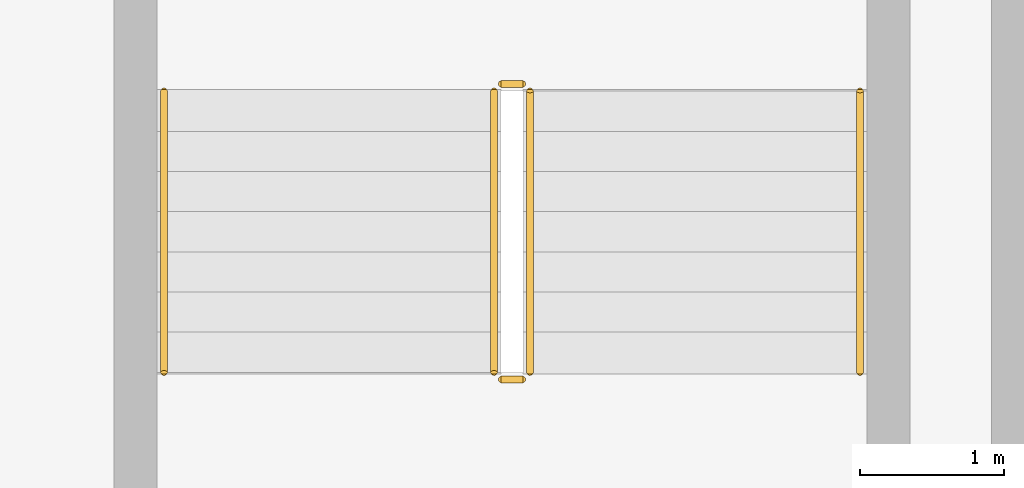
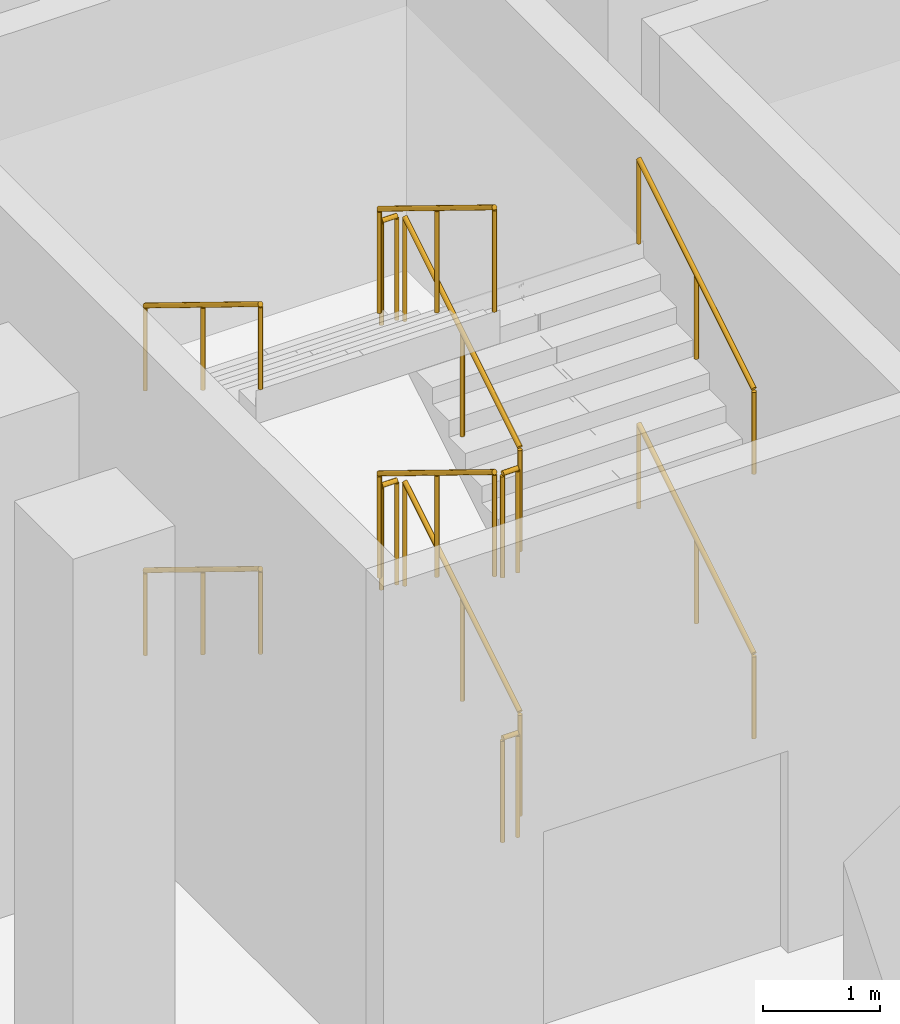
# One storey, part 25 of 25: 12 railings.
"""IFC4 building model written with IfcOpenShell, lengths in metres."""

from ifc_helpers import new_model, si_unit, direction, frame, origin, origin_2d, place, context, subcontext, project, spatial, circle, extrude, material, type_object, element, save


model = new_model("IFC4")

# Units and contexts
model_context = context("Model", 3, precision=1e-05, world=origin(), true_north=direction((0.0, 1.0)))
body_context = subcontext(model_context, "Body", "Model", "MODEL_VIEW")
ifc_project = project(units=[si_unit("LENGTHUNIT", "METRE"), si_unit("AREAUNIT", "SQUARE_METRE"), si_unit("VOLUMEUNIT", "CUBIC_METRE"), si_unit("PLANEANGLEUNIT", "RADIAN"), si_unit("MASSUNIT", "GRAM", prefix="KILO")], contexts=[model_context])

# Site, building, storey
site_placement = place(None, origin())
site = spatial("IfcSite", under=ifc_project, at=site_placement, CompositionType="ELEMENT")
building_placement = place(site_placement, origin())
building = spatial("IfcBuilding", under=site, at=building_placement, Name="Wharfspan Tower", CompositionType="ELEMENT")
storey_placement = place(building_placement, frame((0.0, 0.0, 27.5)))
storey = spatial("IfcBuildingStorey", under=building, at=storey_placement, Name="L04", CompositionType="ELEMENT", Elevation=27.5)

# Railings
ifc_material = material(Name="Steel S355J2", Category="steel")
railing_type_1 = type_object("IfcRailingType", Name="Podium guard 1100", PredefinedType="GUARDRAIL", material=ifc_material)
railing_1_placement = place(storey_placement, frame((68.699951, 32.899902, 0.171875)))
element("IfcRailing", 1, at=railing_1_placement, inside=storey, type_object=railing_type_1, Name="L04 PS4 stair guard 1", PredefinedType="GUARDRAIL", context=body_context, shape_type="SweptSolid", body=[
    extrude(circle(Radius=0.023926, at=origin_2d()), frame((0.0, 0.0, 1.076172), z_axis=(0.0, 0.85227, 0.523102), x_axis=(-1.0, 0.0, 0.0)), (0.0, 0.0, 1.0), 2.300049),
    extrude(circle(Radius=0.020996, at=origin_2d()), origin(), (0.0, 0.0, 1.0), 1.052002),
    extrude(circle(Radius=0.020996, at=origin_2d()), frame((0.0, 0.97998, 0.601562)), (0.0, 0.0, 1.0), 1.052002),
    extrude(circle(Radius=0.020996, at=origin_2d()), frame((0.0, 1.960205, 1.203125)), (0.0, 0.0, 1.0), 1.052002),
])
railing_2_placement = place(storey_placement, frame((68.649902, 34.909912, 1.375)))
element("IfcRailing", 2, at=railing_2_placement, inside=storey, type_object=railing_type_1, Name="L04 PS4 stair guard 2", PredefinedType="GUARDRAIL", context=body_context, shape_type="SweptSolid", body=[
    extrude(circle(Radius=0.023926, at=origin_2d()), frame((0.0, 0.0, 1.076172), z_axis=(-1.0, 0.0, 0.0), x_axis=(0.0, -1.0, 0.0)), (0.0, 0.0, 1.0), 0.149902),
    extrude(circle(Radius=0.020996, at=origin_2d()), origin(), (0.0, 0.0, 1.0), 1.052002),
    extrude(circle(Radius=0.020996, at=origin_2d()), frame((-0.149902, 0.0, 0.0)), (0.0, 0.0, 1.0), 1.052002),
])
railing_3_placement = place(storey_placement, frame((68.449951, 34.860107, 1.546875)))
element("IfcRailing", 3, at=railing_3_placement, inside=storey, type_object=railing_type_1, Name="L04 PS4 stair guard 3", PredefinedType="GUARDRAIL", context=body_context, shape_type="SweptSolid", body=[
    extrude(circle(Radius=0.023926, at=origin_2d()), frame((0.0, 0.0, 1.076172), z_axis=(0.0, -0.85227, 0.523102), x_axis=(1.0, 0.0, 0.0)), (0.0, 0.0, 1.0), 2.300049),
    extrude(circle(Radius=0.020996, at=origin_2d()), origin(), (0.0, 0.0, 1.0), 1.052002),
    extrude(circle(Radius=0.020996, at=origin_2d()), frame((0.0, -0.97998, 0.601562)), (0.0, 0.0, 1.0), 1.052002),
    extrude(circle(Radius=0.020996, at=origin_2d()), frame((0.0, -1.960205, 1.203125)), (0.0, 0.0, 1.0), 1.052002),
])
railing_4_placement = place(storey_placement, frame((68.649902, 32.850098, 2.75)))
element("IfcRailing", 4, at=railing_4_placement, inside=storey, type_object=railing_type_1, Name="L04 PS4 stair guard 4", PredefinedType="GUARDRAIL", context=body_context, shape_type="SweptSolid", body=[
    extrude(circle(Radius=0.023926, at=origin_2d()), frame((0.0, 0.0, 1.076172), z_axis=(-1.0, 0.0, 0.0), x_axis=(0.0, -1.0, 0.0)), (0.0, 0.0, 1.0), 0.149902),
    extrude(circle(Radius=0.020996, at=origin_2d()), origin(), (0.0, 0.0, 1.0), 1.052002),
    extrude(circle(Radius=0.020996, at=origin_2d()), frame((-0.149902, 0.0, 0.0)), (0.0, 0.0, 1.0), 1.052002),
])
railing_5_placement = place(storey_placement, frame((68.699951, 32.899902, 2.921875)))
element("IfcRailing", 5, at=railing_5_placement, inside=storey, type_object=railing_type_1, Name="L04 PS4 stair guard 5", PredefinedType="GUARDRAIL", context=body_context, shape_type="SweptSolid", body=[
    extrude(circle(Radius=0.023926, at=origin_2d()), frame((0.0, 0.0, 1.076172), z_axis=(0.0, 0.85227, 0.523102), x_axis=(-1.0, 0.0, 0.0)), (0.0, 0.0, 1.0), 2.300049),
    extrude(circle(Radius=0.020996, at=origin_2d()), origin(), (0.0, 0.0, 1.0), 1.052002),
    extrude(circle(Radius=0.020996, at=origin_2d()), frame((0.0, 0.97998, 0.601562)), (0.0, 0.0, 1.0), 1.052002),
    extrude(circle(Radius=0.020996, at=origin_2d()), frame((0.0, 1.960205, 1.203125)), (0.0, 0.0, 1.0), 1.052002),
])
railing_6_placement = place(storey_placement, frame((68.649902, 34.909912, 4.125)))
element("IfcRailing", 6, at=railing_6_placement, inside=storey, type_object=railing_type_1, Name="L04 PS4 stair guard 6", PredefinedType="GUARDRAIL", context=body_context, shape_type="SweptSolid", body=[
    extrude(circle(Radius=0.023926, at=origin_2d()), frame((0.0, 0.0, 1.076172), z_axis=(-1.0, 0.0, 0.0), x_axis=(0.0, -1.0, 0.0)), (0.0, 0.0, 1.0), 0.149902),
    extrude(circle(Radius=0.020996, at=origin_2d()), origin(), (0.0, 0.0, 1.0), 1.052002),
    extrude(circle(Radius=0.020996, at=origin_2d()), frame((-0.149902, 0.0, 0.0)), (0.0, 0.0, 1.0), 1.052002),
])
railing_7_placement = place(storey_placement, frame((68.449951, 34.860107, 4.296875)))
element("IfcRailing", 7, at=railing_7_placement, inside=storey, type_object=railing_type_1, Name="L04 PS4 stair guard 7", PredefinedType="GUARDRAIL", context=body_context, shape_type="SweptSolid", body=[
    extrude(circle(Radius=0.023926, at=origin_2d()), frame((0.0, 0.0, 1.076172), z_axis=(0.0, -0.85227, 0.523102), x_axis=(1.0, 0.0, 0.0)), (0.0, 0.0, 1.0), 2.300049),
    extrude(circle(Radius=0.020996, at=origin_2d()), origin(), (0.0, 0.0, 1.0), 1.052002),
    extrude(circle(Radius=0.020996, at=origin_2d()), frame((0.0, -0.97998, 0.601562)), (0.0, 0.0, 1.0), 1.052002),
    extrude(circle(Radius=0.020996, at=origin_2d()), frame((0.0, -1.960205, 1.203125)), (0.0, 0.0, 1.0), 1.052002),
])
railing_8_placement = place(storey_placement, frame((68.649902, 32.850098, 0.0)))
element("IfcRailing", 8, at=railing_8_placement, inside=storey, type_object=railing_type_1, Name="L04 PS4 stair guard 8", PredefinedType="GUARDRAIL", context=body_context, shape_type="SweptSolid", body=[
    extrude(circle(Radius=0.023926, at=origin_2d()), frame((0.0, 0.0, 1.076172), z_axis=(-1.0, 0.0, 0.0), x_axis=(0.0, -1.0, 0.0)), (0.0, 0.0, 1.0), 0.149902),
    extrude(circle(Radius=0.020996, at=origin_2d()), origin(), (0.0, 0.0, 1.0), 1.052002),
    extrude(circle(Radius=0.020996, at=origin_2d()), frame((-0.149902, 0.0, 0.0)), (0.0, 0.0, 1.0), 1.052002),
])
railing_type_2 = type_object("IfcRailingType", Name="Podium stair handrail 900", PredefinedType="HANDRAIL", material=ifc_material)
railing_9_placement = place(storey_placement, frame((71.0, 32.899902, 0.171875)))
element("IfcRailing", 9, at=railing_9_placement, inside=storey, type_object=railing_type_2, Name="L04 PS4 stair handrail 1", PredefinedType="HANDRAIL", context=body_context, shape_type="SweptSolid", body=[
    extrude(circle(Radius=0.023926, at=origin_2d()), frame((0.0, 0.0, 0.875977), z_axis=(0.0, 0.85227, 0.523102), x_axis=(-1.0, 0.0, 0.0)), (0.0, 0.0, 1.0), 2.300049),
    extrude(circle(Radius=0.020996, at=origin_2d()), origin(), (0.0, 0.0, 1.0), 0.851807),
    extrude(circle(Radius=0.020996, at=origin_2d()), frame((0.0, 0.97998, 0.601562)), (0.0, 0.0, 1.0), 0.851807),
    extrude(circle(Radius=0.020996, at=origin_2d()), frame((0.0, 1.960205, 1.203125)), (0.0, 0.0, 1.0), 0.851807),
])
railing_10_placement = place(storey_placement, frame((66.149902, 34.860107, 1.546875)))
element("IfcRailing", 10, at=railing_10_placement, inside=storey, type_object=railing_type_2, Name="L04 PS4 stair handrail 2", PredefinedType="HANDRAIL", context=body_context, shape_type="SweptSolid", body=[
    extrude(circle(Radius=0.023926, at=origin_2d()), frame((0.0, 0.0, 0.875977), z_axis=(0.0, -0.85227, 0.523102), x_axis=(1.0, 0.0, 0.0)), (0.0, 0.0, 1.0), 2.300049),
    extrude(circle(Radius=0.020996, at=origin_2d()), origin(), (0.0, 0.0, 1.0), 0.851807),
    extrude(circle(Radius=0.020996, at=origin_2d()), frame((0.0, -0.97998, 0.601562)), (0.0, 0.0, 1.0), 0.851807),
    extrude(circle(Radius=0.020996, at=origin_2d()), frame((0.0, -1.960205, 1.203125)), (0.0, 0.0, 1.0), 0.851807),
])
railing_11_placement = place(storey_placement, frame((71.0, 32.899902, 2.921875)))
element("IfcRailing", 11, at=railing_11_placement, inside=storey, type_object=railing_type_2, Name="L04 PS4 stair handrail 3", PredefinedType="HANDRAIL", context=body_context, shape_type="SweptSolid", body=[
    extrude(circle(Radius=0.023926, at=origin_2d()), frame((0.0, 0.0, 0.875977), z_axis=(0.0, 0.85227, 0.523102), x_axis=(-1.0, 0.0, 0.0)), (0.0, 0.0, 1.0), 2.300049),
    extrude(circle(Radius=0.020996, at=origin_2d()), origin(), (0.0, 0.0, 1.0), 0.851807),
    extrude(circle(Radius=0.020996, at=origin_2d()), frame((0.0, 0.97998, 0.601562)), (0.0, 0.0, 1.0), 0.851807),
    extrude(circle(Radius=0.020996, at=origin_2d()), frame((0.0, 1.960205, 1.203125)), (0.0, 0.0, 1.0), 0.851807),
])
railing_12_placement = place(storey_placement, frame((66.149902, 34.860107, 4.296875)))
element("IfcRailing", 12, at=railing_12_placement, inside=storey, type_object=railing_type_2, Name="L04 PS4 stair handrail 4", PredefinedType="HANDRAIL", context=body_context, shape_type="SweptSolid", body=[
    extrude(circle(Radius=0.023926, at=origin_2d()), frame((0.0, 0.0, 0.875977), z_axis=(0.0, -0.85227, 0.523102), x_axis=(1.0, 0.0, 0.0)), (0.0, 0.0, 1.0), 2.300049),
    extrude(circle(Radius=0.020996, at=origin_2d()), origin(), (0.0, 0.0, 1.0), 0.851807),
    extrude(circle(Radius=0.020996, at=origin_2d()), frame((0.0, -0.97998, 0.601562)), (0.0, 0.0, 1.0), 0.851807),
    extrude(circle(Radius=0.020996, at=origin_2d()), frame((0.0, -1.960205, 1.203125)), (0.0, 0.0, 1.0), 0.851807),
])

save(model, "model.ifc")
